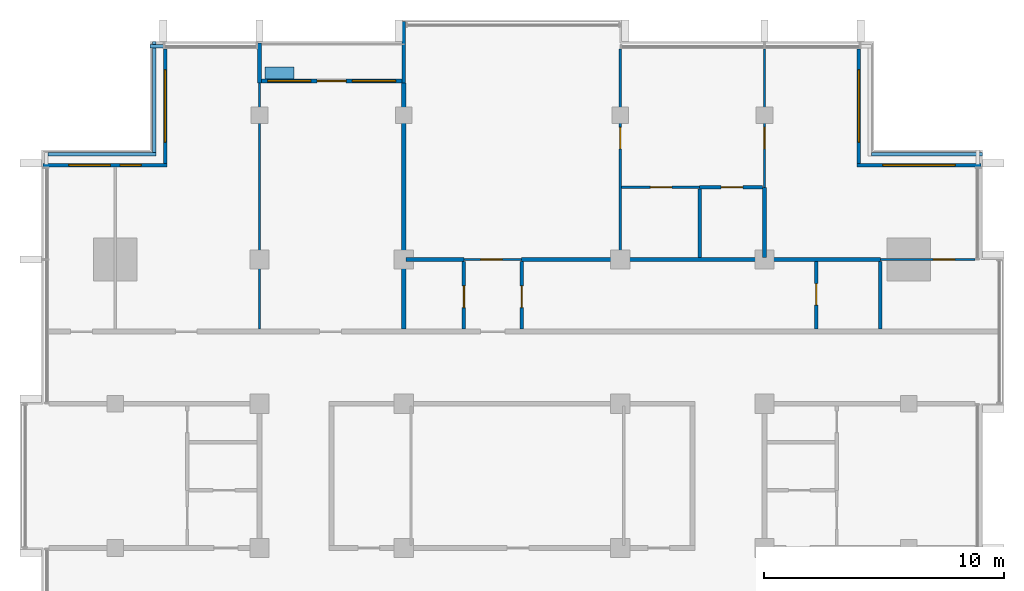
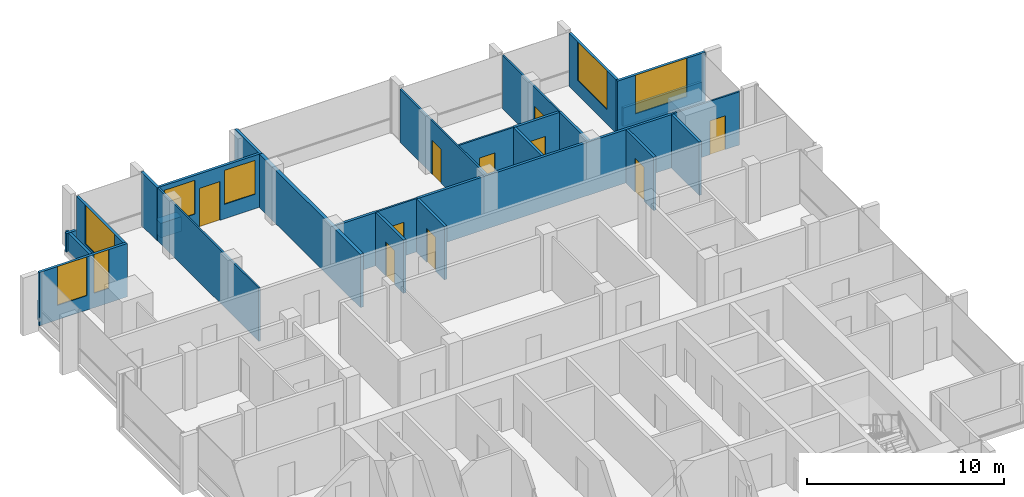
# One storey, part 10 of 16: 28 walls, 10 doors, 7 windows, 17 openings.
"""IFC4 building model written with IfcOpenShell, lengths in metres."""

from ifc_helpers import new_model, si_unit, direction, frame, frame_2d, origin, place, context, subcontext, project, spatial, rectangle, extrude, material, layer, layer_set, type_object, element, fill, save


model = new_model("IFC4")

# Units and contexts
model_context = context("Model", 3, precision=1e-05, world=origin(), true_north=direction((0.0, 1.0)))
body_context = subcontext(model_context, "Body", "Model", "MODEL_VIEW")
ifc_project = project(units=[si_unit("LENGTHUNIT", "METRE"), si_unit("AREAUNIT", "SQUARE_METRE"), si_unit("VOLUMEUNIT", "CUBIC_METRE"), si_unit("PLANEANGLEUNIT", "RADIAN"), si_unit("MASSUNIT", "GRAM", prefix="KILO")], contexts=[model_context])

# Site, building, storey
site_placement = place(None, origin())
site = spatial("IfcSite", under=ifc_project, at=site_placement, CompositionType="ELEMENT")
building_placement = place(site_placement, origin())
building = spatial("IfcBuilding", under=site, at=building_placement, Name="Finial Court Residences", CompositionType="ELEMENT")
storey_placement = place(building_placement, frame((0.0, 0.0, 255.5)))
storey = spatial("IfcBuildingStorey", under=building, at=storey_placement, Name="L64", CompositionType="ELEMENT", Elevation=255.5)

# Wall
ifc_material_1 = material(Name="Gypsum board")
ifc_layer_1 = layer(ifc_material_1, 0.02490234375)
ifc_material_2 = material(Name="Acoustic mineral wool in double frame")
ifc_layer_2 = layer(ifc_material_2, 0.14990234375)
ifc_layer_3 = layer(ifc_material_1, 0.02490234375)
ifc_layer_set_1 = layer_set([ifc_layer_1, ifc_layer_2, ifc_layer_3], Name="Corridor wall 200, 1 hour")
wall_type_1 = type_object("IfcWallType", Name="Corridor wall 200, 1 hour", PredefinedType="PARTITIONING", material=ifc_layer_set_1)
wall_1_placement = place(storey_placement, frame((-4.5, 4.60009765625, 0.0), z_axis=(0.0, 0.0, 1.0), x_axis=(0.0, 1.0, 0.0)))
element("IfcWall", 1, at=wall_1_placement, inside=storey, type_object=wall_type_1, Name="Partition L64-030", PredefinedType="PARTITIONING", context=body_context, shape_type="SweptSolid", body=[
    extrude(rectangle(XDim=10.25, YDim=0.199951171875, at=frame_2d((5.125, 0.0))), origin(), (0.0, 0.0, 1.0), 3.300048828125),
])

# Wall, opening, door
ifc_layer_4 = layer(ifc_material_1, 0.012451171875)
ifc_material_3 = material(Name="Mineral wool in light-gauge frame")
ifc_layer_5 = layer(ifc_material_3, 0.074951171875)
ifc_layer_6 = layer(ifc_material_1, 0.012451171875)
ifc_layer_set_2 = layer_set([ifc_layer_4, ifc_layer_5, ifc_layer_6], Name="Gypsum board partition 100")
wall_type_2 = type_object("IfcWallType", Name="Gypsum board partition 100", PredefinedType="PARTITIONING", material=ifc_layer_set_2)
wall_2_placement = place(storey_placement, frame((-2.0, 7.5, 0.0), z_axis=(0.0, 0.0, 1.0), x_axis=(1.0, 0.0, 0.0)))
wall_2 = element("IfcWall", 2, at=wall_2_placement, inside=storey, type_object=wall_type_2, Name="Partition L64-017", PredefinedType="PARTITIONING", context=body_context, shape_type="SweptSolid", body=[
    extrude(rectangle(XDim=2.39990234375, YDim=0.10009765625, at=frame_2d((1.199951171875, 0.0))), origin(), (0.0, 0.0, 1.0), 3.300048828125),
])
opening_1_placement = place(wall_2_placement, frame((0.699951171875, 0.0, 0.0)))
opening_1 = element("IfcOpeningElement", 3, at=opening_1_placement, cuts=wall_2, Name="Opening L64-D020", PredefinedType="OPENING", context=body_context, shape_type="SweptSolid", body=[
    extrude(rectangle(XDim=0.89990234375, YDim=2.10009765625, at=frame_2d((0.449951171875, 1.050048828125))), frame((0.0, 0.06005859375, 0.0), z_axis=(0.0, -1.0, 0.0), x_axis=(1.0, 0.0, 0.0)), (0.0, 0.0, 1.0), 0.1201171875),
])
ifc_material_4 = material(Name="Timber door leaf in timber frame", Category="wood")
door_type_1 = type_object("IfcDoorType", Name="Door set 900 x 2100", OperationType="SINGLE_SWING_LEFT", PredefinedType="DOOR", material=ifc_material_4)
door_1_placement = place(opening_1_placement, origin())
door_1 = element("IfcDoor", 4, at=door_1_placement, inside=storey, type_object=door_type_1, Name="Door L64-D020", OperationType="SINGLE_SWING_RIGHT", OverallHeight=2.10009765625, OverallWidth=0.89990234375, PredefinedType="DOOR", context=body_context, shape_type="SweptSolid", body=[
    extrude(rectangle(XDim=0.89990234375, YDim=2.10009765625, at=frame_2d((0.449951171875, 1.050048828125))), frame((0.0, 0.02490234375, 0.0), z_axis=(0.0, -1.0, 0.0), x_axis=(1.0, 0.0, 0.0)), (0.0, 0.0, 1.0), 0.050048828125),
])
fill(opening_1, door_1)

wall_3_placement = place(storey_placement, frame((15.31689453125, 7.5, 0.0), z_axis=(0.0, 0.0, 1.0), x_axis=(1.0, 0.0, 0.0)))
wall_3 = element("IfcWall", 5, at=wall_3_placement, inside=storey, type_object=wall_type_2, Name="Partition L64-018", PredefinedType="PARTITIONING", context=body_context, shape_type="SweptSolid", body=[
    extrude(rectangle(XDim=3.945556640625, YDim=0.10009765625, at=frame_2d((1.97265625, 0.0))), origin(), (0.0, 0.0, 1.0), 3.300048828125),
])
opening_2_placement = place(wall_3_placement, frame((2.199951171875, 0.0, 0.0)))
opening_2 = element("IfcOpeningElement", 6, at=opening_2_placement, cuts=wall_3, Name="Opening L64-D021", PredefinedType="OPENING", context=body_context, shape_type="SweptSolid", body=[
    extrude(rectangle(XDim=0.89990234375, YDim=2.10009765625, at=frame_2d((0.449951171875, 1.050048828125))), frame((0.0, 0.06005859375, 0.0), z_axis=(0.0, -1.0, 0.0), x_axis=(1.0, 0.0, 0.0)), (0.0, 0.0, 1.0), 0.1201171875),
])
door_2_placement = place(opening_2_placement, origin())
door_2 = element("IfcDoor", 7, at=door_2_placement, inside=storey, type_object=door_type_1, Name="Door L64-D021", OperationType="SINGLE_SWING_RIGHT", OverallHeight=2.10009765625, OverallWidth=0.89990234375, PredefinedType="DOOR", context=body_context, shape_type="SweptSolid", body=[
    extrude(rectangle(XDim=0.89990234375, YDim=2.10009765625, at=frame_2d((0.449951171875, 1.050048828125))), frame((0.0, 0.02490234375, 0.0), z_axis=(0.0, -1.0, 0.0), x_axis=(1.0, 0.0, 0.0)), (0.0, 0.0, 1.0), 0.050048828125),
])
fill(opening_2, door_2)

wall_4_placement = place(storey_placement, frame((4.550048828125, 10.5, 0.0), z_axis=(0.0, 0.0, 1.0), x_axis=(1.0, 0.0, 0.0)))
wall_4 = element("IfcWall", 8, at=wall_4_placement, inside=storey, type_object=wall_type_2, Name="Partition L64-021", PredefinedType="PARTITIONING", context=body_context, shape_type="SweptSolid", body=[
    extrude(rectangle(XDim=3.25, YDim=0.10009765625, at=frame_2d((1.625, 0.0))), origin(), (0.0, 0.0, 1.0), 3.300048828125),
])
opening_3_placement = place(wall_4_placement, frame((1.199951171875, 0.0, 0.0)))
opening_3 = element("IfcOpeningElement", 9, at=opening_3_placement, cuts=wall_4, Name="Opening L64-D022", PredefinedType="OPENING", context=body_context, shape_type="SweptSolid", body=[
    extrude(rectangle(XDim=0.89990234375, YDim=2.10009765625, at=frame_2d((0.449951171875, 1.050048828125))), frame((0.0, 0.06005859375, 0.0), z_axis=(0.0, -1.0, 0.0), x_axis=(1.0, 0.0, 0.0)), (0.0, 0.0, 1.0), 0.1201171875),
])
door_3_placement = place(opening_3_placement, origin())
door_3 = element("IfcDoor", 10, at=door_3_placement, inside=storey, type_object=door_type_1, Name="Door L64-D022", OperationType="SINGLE_SWING_LEFT", OverallHeight=2.10009765625, OverallWidth=0.89990234375, PredefinedType="DOOR", context=body_context, shape_type="SweptSolid", body=[
    extrude(rectangle(XDim=0.89990234375, YDim=2.10009765625, at=frame_2d((0.449951171875, 1.050048828125))), frame((0.0, 0.02490234375, 0.0), z_axis=(0.0, -1.0, 0.0), x_axis=(1.0, 0.0, 0.0)), (0.0, 0.0, 1.0), 0.050048828125),
])
fill(opening_3, door_3)

# Wall
wall_5_placement = place(storey_placement, frame((-10.5, 4.60009765625, 0.0), z_axis=(0.0, 0.0, 1.0), x_axis=(0.0, 1.0, 0.0)))
element("IfcWall", 11, at=wall_5_placement, inside=storey, type_object=wall_type_2, Name="Partition L64-028", PredefinedType="PARTITIONING", context=body_context, shape_type="SweptSolid", body=[
    extrude(rectangle(XDim=10.25, YDim=0.10009765625, at=frame_2d((5.125, 0.0))), origin(), (0.0, 0.0, 1.0), 3.300048828125),
])

# Wall, opening, door
wall_6_placement = place(storey_placement, frame((4.5, 7.574951171875, 0.0), z_axis=(0.0, 0.0, 1.0), x_axis=(0.0, 1.0, 0.0)))
wall_6 = element("IfcWall", 12, at=wall_6_placement, inside=storey, type_object=wall_type_2, Name="Partition L64-034", PredefinedType="PARTITIONING", context=body_context, shape_type="SweptSolid", body=[
    extrude(rectangle(XDim=8.6875, YDim=0.10009765625, at=frame_2d((4.34375, 0.0))), origin(), (0.0, 0.0, 1.0), 3.300048828125),
])
opening_4_placement = place(wall_6_placement, frame((4.52490234375, 0.0, 0.0)))
opening_4 = element("IfcOpeningElement", 13, at=opening_4_placement, cuts=wall_6, Name="Opening L64-D028", PredefinedType="OPENING", context=body_context, shape_type="SweptSolid", body=[
    extrude(rectangle(XDim=0.89990234375, YDim=2.10009765625, at=frame_2d((0.449951171875, 1.050048828125))), frame((0.0, 0.06005859375, 0.0), z_axis=(0.0, -1.0, 0.0), x_axis=(1.0, 0.0, 0.0)), (0.0, 0.0, 1.0), 0.1201171875),
])
door_4_placement = place(opening_4_placement, origin())
door_4 = element("IfcDoor", 14, at=door_4_placement, inside=storey, type_object=door_type_1, Name="Door L64-D028", OperationType="SINGLE_SWING_RIGHT", OverallHeight=2.10009765625, OverallWidth=0.89990234375, PredefinedType="DOOR", context=body_context, shape_type="SweptSolid", body=[
    extrude(rectangle(XDim=0.89990234375, YDim=2.10009765625, at=frame_2d((0.449951171875, 1.050048828125))), frame((0.0, 0.02490234375, 0.0), z_axis=(0.0, -1.0, 0.0), x_axis=(1.0, 0.0, 0.0)), (0.0, 0.0, 1.0), 0.050048828125),
])
fill(opening_4, door_4)

wall_7_placement = place(storey_placement, frame((10.5, 10.5, 0.0), z_axis=(0.0, 0.0, 1.0), x_axis=(0.0, 1.0, 0.0)))
wall_7 = element("IfcWall", 15, at=wall_7_placement, inside=storey, type_object=wall_type_2, Name="Partition L64-039", PredefinedType="PARTITIONING", context=body_context, shape_type="SweptSolid", body=[
    extrude(rectangle(XDim=5.762451171875, YDim=0.10009765625, at=frame_2d((2.88134765625, 0.0))), origin(), (0.0, 0.0, 1.0), 3.300048828125),
])
opening_5_placement = place(wall_7_placement, frame((1.60009765625, 0.0, 0.0)))
opening_5 = element("IfcOpeningElement", 16, at=opening_5_placement, cuts=wall_7, Name="Opening L64-D029", PredefinedType="OPENING", context=body_context, shape_type="SweptSolid", body=[
    extrude(rectangle(XDim=0.89990234375, YDim=2.10009765625, at=frame_2d((0.449951171875, 1.050048828125))), frame((0.0, 0.06005859375, 0.0), z_axis=(0.0, -1.0, 0.0), x_axis=(1.0, 0.0, 0.0)), (0.0, 0.0, 1.0), 0.1201171875),
])
door_5_placement = place(opening_5_placement, origin())
door_5 = element("IfcDoor", 17, at=door_5_placement, inside=storey, type_object=door_type_1, Name="Door L64-D029", OperationType="SINGLE_SWING_LEFT", OverallHeight=2.10009765625, OverallWidth=0.89990234375, PredefinedType="DOOR", context=body_context, shape_type="SweptSolid", body=[
    extrude(rectangle(XDim=0.89990234375, YDim=2.10009765625, at=frame_2d((0.449951171875, 1.050048828125))), frame((0.0, 0.02490234375, 0.0), z_axis=(0.0, -1.0, 0.0), x_axis=(1.0, 0.0, 0.0)), (0.0, 0.0, 1.0), 0.050048828125),
])
fill(opening_5, door_5)

# Walls
ifc_material_5 = material(Name="Moisture-resistant gypsum board")
ifc_layer_7 = layer(ifc_material_5, 0.012451171875)
ifc_layer_8 = layer(ifc_material_3, 0.125)
ifc_layer_9 = layer(ifc_material_5, 0.012451171875)
ifc_layer_set_3 = layer_set([ifc_layer_7, ifc_layer_8, ifc_layer_9], Name="Gypsum board wet-area partition 150")
wall_type_3 = type_object("IfcWallType", Name="Gypsum board wet-area partition 150", PredefinedType="PARTITIONING", material=ifc_layer_set_3)
wall_8_placement = place(storey_placement, frame((-4.39990234375, 7.5, 0.0), z_axis=(0.0, 0.0, 1.0), x_axis=(1.0, 0.0, 0.0)))
element("IfcWall", 18, at=wall_8_placement, inside=storey, type_object=wall_type_3, Name="Partition L64-019", PredefinedType="PARTITIONING", context=body_context, shape_type="SweptSolid", body=[
    extrude(rectangle(XDim=2.39990234375, YDim=0.14990234375, at=frame_2d((1.199951171875, 0.0))), origin(), (0.0, 0.0, 1.0), 3.300048828125),
])
wall_9_placement = place(storey_placement, frame((0.39990234375, 7.5, 0.0), z_axis=(0.0, 0.0, 1.0), x_axis=(1.0, 0.0, 0.0)))
element("IfcWall", 19, at=wall_9_placement, inside=storey, type_object=wall_type_3, Name="Partition L64-020", PredefinedType="PARTITIONING", context=body_context, shape_type="SweptSolid", body=[
    extrude(rectangle(XDim=14.9169921875, YDim=0.14990234375, at=frame_2d((7.45849609375, 0.0))), origin(), (0.0, 0.0, 1.0), 3.300048828125),
])

# Wall, opening, door
wall_10_placement = place(storey_placement, frame((7.800048828125, 10.5, 0.0), z_axis=(0.0, 0.0, 1.0), x_axis=(1.0, 0.0, 0.0)))
wall_10 = element("IfcWall", 20, at=wall_10_placement, inside=storey, type_object=wall_type_3, Name="Partition L64-022", PredefinedType="PARTITIONING", context=body_context, shape_type="SweptSolid", body=[
    extrude(rectangle(XDim=2.625, YDim=0.14990234375, at=frame_2d((1.3125, 0.0))), origin(), (0.0, 0.0, 1.0), 3.300048828125),
])
opening_6_placement = place(wall_10_placement, frame((0.89990234375, 0.0, 0.0)))
opening_6 = element("IfcOpeningElement", 21, at=opening_6_placement, cuts=wall_10, Name="Opening L64-D023", PredefinedType="OPENING", context=body_context, shape_type="SweptSolid", body=[
    extrude(rectangle(XDim=0.89990234375, YDim=2.10009765625, at=frame_2d((0.449951171875, 1.050048828125))), frame((0.0, 0.0849609375, 0.0), z_axis=(0.0, -1.0, 0.0), x_axis=(1.0, 0.0, 0.0)), (0.0, 0.0, 1.0), 0.169921875),
])
door_6_placement = place(opening_6_placement, origin())
door_6 = element("IfcDoor", 22, at=door_6_placement, inside=storey, type_object=door_type_1, Name="Door L64-D023", OperationType="SINGLE_SWING_LEFT", OverallHeight=2.10009765625, OverallWidth=0.89990234375, PredefinedType="DOOR", context=body_context, shape_type="SweptSolid", body=[
    extrude(rectangle(XDim=0.89990234375, YDim=2.10009765625, at=frame_2d((0.449951171875, 1.050048828125))), frame((0.0, 0.02490234375, 0.0), z_axis=(0.0, -1.0, 0.0), x_axis=(1.0, 0.0, 0.0)), (0.0, 0.0, 1.0), 0.050048828125),
])
fill(opening_6, door_6)

wall_11_placement = place(storey_placement, frame((-2.0, 4.60009765625, 0.0), z_axis=(0.0, 0.0, 1.0), x_axis=(0.0, 1.0, 0.0)))
wall_11 = element("IfcWall", 23, at=wall_11_placement, inside=storey, type_object=wall_type_3, Name="Partition L64-032", PredefinedType="PARTITIONING", context=body_context, shape_type="SweptSolid", body=[
    extrude(rectangle(XDim=2.824951171875, YDim=0.14990234375, at=frame_2d((1.41259765625, 0.0))), origin(), (0.0, 0.0, 1.0), 3.300048828125),
])
opening_7_placement = place(wall_11_placement, frame((0.89990234375, 0.0, 0.0)))
opening_7 = element("IfcOpeningElement", 24, at=opening_7_placement, cuts=wall_11, Name="Opening L64-D026", PredefinedType="OPENING", context=body_context, shape_type="SweptSolid", body=[
    extrude(rectangle(XDim=0.89990234375, YDim=2.10009765625, at=frame_2d((0.449951171875, 1.050048828125))), frame((0.0, 0.0849609375, 0.0), z_axis=(0.0, -1.0, 0.0), x_axis=(1.0, 0.0, 0.0)), (0.0, 0.0, 1.0), 0.169921875),
])
door_7_placement = place(opening_7_placement, origin())
door_7 = element("IfcDoor", 25, at=door_7_placement, inside=storey, type_object=door_type_1, Name="Door L64-D026", OperationType="SINGLE_SWING_LEFT", OverallHeight=2.10009765625, OverallWidth=0.89990234375, PredefinedType="DOOR", context=body_context, shape_type="SweptSolid", body=[
    extrude(rectangle(XDim=0.89990234375, YDim=2.10009765625, at=frame_2d((0.449951171875, 1.050048828125))), frame((0.0, 0.02490234375, 0.0), z_axis=(0.0, -1.0, 0.0), x_axis=(1.0, 0.0, 0.0)), (0.0, 0.0, 1.0), 0.050048828125),
])
fill(opening_7, door_7)

wall_12_placement = place(storey_placement, frame((0.39990234375, 4.60009765625, 0.0), z_axis=(0.0, 0.0, 1.0), x_axis=(0.0, 1.0, 0.0)))
wall_12 = element("IfcWall", 26, at=wall_12_placement, inside=storey, type_object=wall_type_3, Name="Partition L64-033", PredefinedType="PARTITIONING", context=body_context, shape_type="SweptSolid", body=[
    extrude(rectangle(XDim=2.824951171875, YDim=0.14990234375, at=frame_2d((1.41259765625, 0.0))), origin(), (0.0, 0.0, 1.0), 3.300048828125),
])
opening_8_placement = place(wall_12_placement, frame((0.89990234375, 0.0, 0.0)))
opening_8 = element("IfcOpeningElement", 27, at=opening_8_placement, cuts=wall_12, Name="Opening L64-D027", PredefinedType="OPENING", context=body_context, shape_type="SweptSolid", body=[
    extrude(rectangle(XDim=0.89990234375, YDim=2.10009765625, at=frame_2d((0.449951171875, 1.050048828125))), frame((0.0, 0.0849609375, 0.0), z_axis=(0.0, -1.0, 0.0), x_axis=(1.0, 0.0, 0.0)), (0.0, 0.0, 1.0), 0.169921875),
])
door_8_placement = place(opening_8_placement, origin())
door_8 = element("IfcDoor", 28, at=door_8_placement, inside=storey, type_object=door_type_1, Name="Door L64-D027", OperationType="SINGLE_SWING_RIGHT", OverallHeight=2.10009765625, OverallWidth=0.89990234375, PredefinedType="DOOR", context=body_context, shape_type="SweptSolid", body=[
    extrude(rectangle(XDim=0.89990234375, YDim=2.10009765625, at=frame_2d((0.449951171875, 1.050048828125))), frame((0.0, 0.02490234375, 0.0), z_axis=(0.0, -1.0, 0.0), x_axis=(1.0, 0.0, 0.0)), (0.0, 0.0, 1.0), 0.050048828125),
])
fill(opening_8, door_8)

# Walls
wall_13_placement = place(storey_placement, frame((7.800048828125, 7.574951171875, 0.0), z_axis=(0.0, 0.0, 1.0), x_axis=(0.0, 1.0, 0.0)))
element("IfcWall", 29, at=wall_13_placement, inside=storey, type_object=wall_type_3, Name="Partition L64-037", PredefinedType="PARTITIONING", context=body_context, shape_type="SweptSolid", body=[
    extrude(rectangle(XDim=2.85009765625, YDim=0.14990234375, at=frame_2d((1.425048828125, 0.0))), origin(), (0.0, 0.0, 1.0), 3.300048828125),
])
wall_14_placement = place(storey_placement, frame((10.5, 7.574951171875, 0.0), z_axis=(0.0, 0.0, 1.0), x_axis=(0.0, 1.0, 0.0)))
element("IfcWall", 30, at=wall_14_placement, inside=storey, type_object=wall_type_3, Name="Partition L64-040", PredefinedType="PARTITIONING", context=body_context, shape_type="SweptSolid", body=[
    extrude(rectangle(XDim=2.925048828125, YDim=0.14990234375, at=frame_2d((1.46240234375, 0.0))), origin(), (0.0, 0.0, 1.0), 3.300048828125),
])

# Wall, opening, door
wall_15_placement = place(storey_placement, frame((12.64990234375, 4.60009765625, 0.0), z_axis=(0.0, 0.0, 1.0), x_axis=(0.0, 1.0, 0.0)))
wall_15 = element("IfcWall", 31, at=wall_15_placement, inside=storey, type_object=wall_type_3, Name="Partition L64-041", PredefinedType="PARTITIONING", context=body_context, shape_type="SweptSolid", body=[
    extrude(rectangle(XDim=2.824951171875, YDim=0.14990234375, at=frame_2d((1.41259765625, 0.0))), origin(), (0.0, 0.0, 1.0), 3.300048828125),
])
opening_9_placement = place(wall_15_placement, frame((1.0, 0.0, 0.0)))
opening_9 = element("IfcOpeningElement", 32, at=opening_9_placement, cuts=wall_15, Name="Opening L64-D030", PredefinedType="OPENING", context=body_context, shape_type="SweptSolid", body=[
    extrude(rectangle(XDim=0.89990234375, YDim=2.10009765625, at=frame_2d((0.449951171875, 1.050048828125))), frame((0.0, 0.0849609375, 0.0), z_axis=(0.0, -1.0, 0.0), x_axis=(1.0, 0.0, 0.0)), (0.0, 0.0, 1.0), 0.169921875),
])
door_9_placement = place(opening_9_placement, origin())
door_9 = element("IfcDoor", 33, at=door_9_placement, inside=storey, type_object=door_type_1, Name="Door L64-D030", OperationType="SINGLE_SWING_LEFT", OverallHeight=2.10009765625, OverallWidth=0.89990234375, PredefinedType="DOOR", context=body_context, shape_type="SweptSolid", body=[
    extrude(rectangle(XDim=0.89990234375, YDim=2.10009765625, at=frame_2d((0.449951171875, 1.050048828125))), frame((0.0, 0.02490234375, 0.0), z_axis=(0.0, -1.0, 0.0), x_axis=(1.0, 0.0, 0.0)), (0.0, 0.0, 1.0), 0.050048828125),
])
fill(opening_9, door_9)

# Walls
wall_16_placement = place(storey_placement, frame((15.31689453125, 4.60009765625, 0.0), z_axis=(0.0, 0.0, 1.0), x_axis=(0.0, 1.0, 0.0)))
element("IfcWall", 34, at=wall_16_placement, inside=storey, type_object=wall_type_3, Name="Partition L64-044", PredefinedType="PARTITIONING", context=body_context, shape_type="SweptSolid", body=[
    extrude(rectangle(XDim=2.824951171875, YDim=0.14990234375, at=frame_2d((1.41259765625, 0.0))), origin(), (0.0, 0.0, 1.0), 3.300048828125),
])
ifc_material_6 = material(Name="Concrete C35/45", Category="concrete")
ifc_layer_10 = layer(ifc_material_6, 0.14990234375)
ifc_layer_set_4 = layer_set([ifc_layer_10], Name="Ledge parapet, Concrete C35/45 150")
wall_type_4 = type_object("IfcWallType", Name="Ledge parapet, Concrete C35/45 150", PredefinedType="PARAPET", material=ifc_layer_set_4)
wall_17_placement = place(storey_placement, frame((-15.0625, 16.375, 0.0), z_axis=(0.0, 0.0, 1.0), x_axis=(1.0, 0.0, 0.0)))
element("IfcWall", 35, at=wall_17_placement, inside=storey, type_object=wall_type_4, Name="E-L64-LED3-P1", PredefinedType="PARAPET", context=body_context, shape_type="SweptSolid", body=[
    extrude(rectangle(XDim=0.614990234375, YDim=0.14990234375, at=frame_2d((0.3076171875, 0.0))), origin(), (0.0, 0.0, 1.0), 1.14990234375),
])
wall_18_placement = place(storey_placement, frame((-19.300048828125, 11.875, 0.0), z_axis=(0.0, 0.0, 1.0), x_axis=(1.0, 0.0, 0.0)))
element("IfcWall", 36, at=wall_18_placement, inside=storey, type_object=wall_type_4, Name="E-L64-LED3-P3", PredefinedType="PARAPET", context=body_context, shape_type="SweptSolid", body=[
    extrude(rectangle(XDim=4.5, YDim=0.14990234375, at=frame_2d((2.25, 0.0))), origin(), (0.0, 0.0, 1.0), 1.14990234375),
])
for number, where, z_axis, x_axis, name in (
    (37, (-14.875, 11.949951171875, 0.0), (0.0, 0.0, 1.0), (0.0, 1.0, 0.0), "E-L64-LED3-P4"),
    (38, (14.949951171875, 11.875, 0.0), (0.0, 0.0, 1.0), (1.0, 0.0, 0.0), "E-L64-LED4-P4"),
):
    element("IfcWall", number, at=place(storey_placement, frame(where, z_axis=z_axis, x_axis=x_axis)), inside=storey, type_object=wall_type_4, Name=name, PredefinedType="PARAPET", context=body_context, shape_type="SweptSolid", body=[
        extrude(rectangle(XDim=4.612548828125, YDim=0.14990234375, at=frame_2d((2.30615234375, 0.0))), origin(), (0.0, 0.0, 1.0), 1.14990234375),
    ])

# Wall, opening, window
ifc_material_7 = material(Name="Natural limestone", Category="masonry")
ifc_layer_11 = layer(ifc_material_7, 0.14990234375)
ifc_layer_set_5 = layer_set([ifc_layer_11], Name="Limestone clad wall 150")
wall_type_5 = type_object("IfcWallType", Name="Limestone clad wall 150", PredefinedType="SOLIDWALL", material=ifc_layer_set_5)
wall_19_placement = place(storey_placement, frame((-14.425048828125, 11.5, 0.0), z_axis=(0.0, 0.0, 1.0), x_axis=(0.0, 1.0, 0.0)))
wall_19 = element("IfcWall", 39, at=wall_19_placement, inside=storey, type_object=wall_type_5, Name="E-L64-NWW16", PredefinedType="SOLIDWALL", context=body_context, shape_type="SweptSolid", body=[
    extrude(rectangle(XDim=4.762451171875, YDim=0.14990234375, at=frame_2d((2.38134765625, 0.0))), origin(), (0.0, 0.0, 1.0), 3.300048828125),
])
opening_10_placement = place(wall_19_placement, frame((0.881103515625, 0.0, 0.89990234375)))
opening_10 = element("IfcOpeningElement", 40, at=opening_10_placement, cuts=wall_19, Name="Opening WE64-05", PredefinedType="OPENING", context=body_context, shape_type="SweptSolid", body=[
    extrude(rectangle(XDim=3.0, YDim=2.39990234375, at=frame_2d((1.5, 1.199951171875))), frame((0.0, 0.0849609375, 0.0), z_axis=(0.0, -1.0, 0.0), x_axis=(1.0, 0.0, 0.0)), (0.0, 0.0, 1.0), 0.169921875),
])
ifc_material_8 = material(Name="Clear low-e glass", Category="glass")
window_type_1 = type_object("IfcWindowType", Name="Corner window 3000 x 2400", PartitioningType="SINGLE_PANEL", PredefinedType="WINDOW", material=ifc_material_8)
window_1_placement = place(opening_10_placement, origin())
window_1 = element("IfcWindow", 41, at=window_1_placement, inside=storey, type_object=window_type_1, Name="E-L64-NWW16-W1", OverallHeight=2.39990234375, OverallWidth=3.0, PartitioningType="SINGLE_PANEL", PredefinedType="WINDOW", context=body_context, shape_type="SweptSolid", body=[
    extrude(rectangle(XDim=3.0, YDim=2.39990234375, at=frame_2d((1.5, 1.199951171875))), frame((0.0, 0.030029296875, 0.0), z_axis=(0.0, -1.0, 0.0), x_axis=(1.0, 0.0, 0.0)), (0.0, 0.0, 1.0), 0.06005859375),
])
fill(opening_10, window_1)

# Wall, openings, windows
wall_20_placement = place(storey_placement, frame((-19.5, 11.425048828125, 0.0), z_axis=(0.0, 0.0, 1.0), x_axis=(1.0, 0.0, 0.0)))
wall_20 = element("IfcWall", 42, at=wall_20_placement, inside=storey, type_object=wall_type_5, Name="E-L64-NWN17", PredefinedType="SOLIDWALL", context=body_context, shape_type="SweptSolid", body=[
    extrude(rectangle(XDim=5.14990234375, YDim=0.14990234375, at=frame_2d((2.574951171875, 0.0))), origin(), (0.0, 0.0, 1.0), 3.300048828125),
])
opening_11_placement = place(wall_20_placement, frame((1.074951171875, 0.0, 0.89990234375)))
opening_11 = element("IfcOpeningElement", 43, at=opening_11_placement, cuts=wall_20, Name="Opening WE64-06", PredefinedType="OPENING", context=body_context, shape_type="SweptSolid", body=[
    extrude(rectangle(XDim=1.72509765625, YDim=2.39990234375, at=frame_2d((0.862548828125, 1.199951171875))), frame((0.0, 0.0849609375, 0.0), z_axis=(0.0, -1.0, 0.0), x_axis=(1.0, 0.0, 0.0)), (0.0, 0.0, 1.0), 0.169921875),
])
opening_12_placement = place(wall_20_placement, frame((3.199951171875, 0.0, 0.89990234375)))
opening_12 = element("IfcOpeningElement", 44, at=opening_12_placement, cuts=wall_20, Name="Opening WE64-07", PredefinedType="OPENING", context=body_context, shape_type="SweptSolid", body=[
    extrude(rectangle(XDim=0.875, YDim=2.39990234375, at=frame_2d((0.4375, 1.199951171875))), frame((0.0, 0.0849609375, 0.0), z_axis=(0.0, -1.0, 0.0), x_axis=(1.0, 0.0, 0.0)), (0.0, 0.0, 1.0), 0.169921875),
])
window_type_2 = type_object("IfcWindowType", Name="Corner window 1725 x 2400", PartitioningType="SINGLE_PANEL", PredefinedType="WINDOW", material=ifc_material_8)
window_2_placement = place(opening_11_placement, origin())
window_2 = element("IfcWindow", 45, at=window_2_placement, inside=storey, type_object=window_type_2, Name="E-L64-NWN17-W1", OverallHeight=2.39990234375, OverallWidth=1.72509765625, PartitioningType="SINGLE_PANEL", PredefinedType="WINDOW", context=body_context, shape_type="SweptSolid", body=[
    extrude(rectangle(XDim=1.72509765625, YDim=2.39990234375, at=frame_2d((0.862548828125, 1.199951171875))), frame((0.0, 0.030029296875, 0.0), z_axis=(0.0, -1.0, 0.0), x_axis=(1.0, 0.0, 0.0)), (0.0, 0.0, 1.0), 0.06005859375),
])
fill(opening_11, window_2)
window_type_3 = type_object("IfcWindowType", Name="Corner window 875 x 2400", PartitioningType="SINGLE_PANEL", PredefinedType="WINDOW", material=ifc_material_8)
window_3_placement = place(opening_12_placement, origin())
window_3 = element("IfcWindow", 46, at=window_3_placement, inside=storey, type_object=window_type_3, Name="E-L64-NWN17-W2", OverallHeight=2.39990234375, OverallWidth=0.875, PartitioningType="SINGLE_PANEL", PredefinedType="WINDOW", context=body_context, shape_type="SweptSolid", body=[
    extrude(rectangle(XDim=0.875, YDim=2.39990234375, at=frame_2d((0.4375, 1.199951171875))), frame((0.0, 0.030029296875, 0.0), z_axis=(0.0, -1.0, 0.0), x_axis=(1.0, 0.0, 0.0)), (0.0, 0.0, 1.0), 0.06005859375),
])
fill(opening_12, window_3)

# Wall, opening, window
wall_21_placement = place(storey_placement, frame((14.425048828125, 16.262451171875, 0.0), z_axis=(0.0, 0.0, 1.0), x_axis=(0.0, -1.0, 0.0)))
wall_21 = element("IfcWall", 47, at=wall_21_placement, inside=storey, type_object=wall_type_5, Name="E-L64-NWE18", PredefinedType="SOLIDWALL", context=body_context, shape_type="SweptSolid", body=[
    extrude(rectangle(XDim=4.762451171875, YDim=0.14990234375, at=frame_2d((2.38134765625, 0.0))), origin(), (0.0, 0.0, 1.0), 3.300048828125),
])
opening_13_placement = place(wall_21_placement, frame((0.881103515625, 0.0, 0.89990234375)))
opening_13 = element("IfcOpeningElement", 48, at=opening_13_placement, cuts=wall_21, Name="Opening WE64-08", PredefinedType="OPENING", context=body_context, shape_type="SweptSolid", body=[
    extrude(rectangle(XDim=3.0, YDim=2.39990234375, at=frame_2d((1.5, 1.199951171875))), frame((0.0, 0.0849609375, 0.0), z_axis=(0.0, -1.0, 0.0), x_axis=(1.0, 0.0, 0.0)), (0.0, 0.0, 1.0), 0.169921875),
])
window_4_placement = place(opening_13_placement, origin())
window_4 = element("IfcWindow", 49, at=window_4_placement, inside=storey, type_object=window_type_1, Name="E-L64-NWE18-W1", OverallHeight=2.39990234375, OverallWidth=3.0, PartitioningType="SINGLE_PANEL", PredefinedType="WINDOW", context=body_context, shape_type="SweptSolid", body=[
    extrude(rectangle(XDim=3.0, YDim=2.39990234375, at=frame_2d((1.5, 1.199951171875))), frame((0.0, 0.030029296875, 0.0), z_axis=(0.0, -1.0, 0.0), x_axis=(1.0, 0.0, 0.0)), (0.0, 0.0, 1.0), 0.06005859375),
])
fill(opening_13, window_4)

wall_22_placement = place(storey_placement, frame((14.35009765625, 11.425048828125, 0.0), z_axis=(0.0, 0.0, 1.0), x_axis=(1.0, 0.0, 0.0)))
wall_22 = element("IfcWall", 50, at=wall_22_placement, inside=storey, type_object=wall_type_5, Name="E-L64-NWN19", PredefinedType="SOLIDWALL", context=body_context, shape_type="SweptSolid", body=[
    extrude(rectangle(XDim=5.14990234375, YDim=0.14990234375, at=frame_2d((2.574951171875, 0.0))), origin(), (0.0, 0.0, 1.0), 3.300048828125),
])
opening_14_placement = place(wall_22_placement, frame((1.074951171875, 0.0, 0.89990234375)))
opening_14 = element("IfcOpeningElement", 51, at=opening_14_placement, cuts=wall_22, Name="Opening WE64-09", PredefinedType="OPENING", context=body_context, shape_type="SweptSolid", body=[
    extrude(rectangle(XDim=3.0, YDim=2.39990234375, at=frame_2d((1.5, 1.199951171875))), frame((0.0, 0.0849609375, 0.0), z_axis=(0.0, -1.0, 0.0), x_axis=(1.0, 0.0, 0.0)), (0.0, 0.0, 1.0), 0.169921875),
])
window_5_placement = place(opening_14_placement, origin())
window_5 = element("IfcWindow", 52, at=window_5_placement, inside=storey, type_object=window_type_1, Name="E-L64-NWN19-W1", OverallHeight=2.39990234375, OverallWidth=3.0, PartitioningType="SINGLE_PANEL", PredefinedType="WINDOW", context=body_context, shape_type="SweptSolid", body=[
    extrude(rectangle(XDim=3.0, YDim=2.39990234375, at=frame_2d((1.5, 1.199951171875))), frame((0.0, 0.030029296875, 0.0), z_axis=(0.0, -1.0, 0.0), x_axis=(1.0, 0.0, 0.0)), (0.0, 0.0, 1.0), 0.06005859375),
])
fill(opening_14, window_5)

# Walls
wall_23_placement = place(storey_placement, frame((-10.5, 14.85009765625, 0.0), z_axis=(0.0, 0.0, 1.0), x_axis=(0.0, 1.0, 0.0)))
element("IfcWall", 53, at=wall_23_placement, inside=storey, type_object=wall_type_5, Name="E-L64-BALN2-P1", PredefinedType="SOLIDWALL", context=body_context, shape_type="SweptSolid", body=[
    extrude(rectangle(XDim=1.64990234375, YDim=0.14990234375, at=frame_2d((0.824951171875, 0.0))), origin(), (0.0, 0.0, 1.0), 3.300048828125),
])
wall_24_placement = place(storey_placement, frame((-4.5, 14.85009765625, 0.0), z_axis=(0.0, 0.0, 1.0), x_axis=(0.0, 1.0, 0.0)))
element("IfcWall", 54, at=wall_24_placement, inside=storey, type_object=wall_type_5, Name="E-L64-BALN2-P2", PredefinedType="SOLIDWALL", context=body_context, shape_type="SweptSolid", body=[
    extrude(rectangle(XDim=2.5498046875, YDim=0.14990234375, at=frame_2d((1.27490234375, 0.0))), origin(), (0.0, 0.0, 1.0), 3.300048828125),
])

# Wall, openings, door, windows
wall_25_placement = place(storey_placement, frame((-10.425048828125, 14.925048828125, 0.0), z_axis=(0.0, 0.0, 1.0), x_axis=(1.0, 0.0, 0.0)))
wall_25 = element("IfcWall", 55, at=wall_25_placement, inside=storey, type_object=wall_type_5, Name="E-L64-L64-BALN2-W", PredefinedType="SOLIDWALL", context=body_context, shape_type="SweptSolid", body=[
    extrude(rectangle(XDim=5.85009765625, YDim=0.14990234375, at=frame_2d((2.925048828125, 0.0))), origin(), (0.0, 0.0, 1.0), 3.300048828125),
])
opening_15_placement = place(wall_25_placement, frame((2.324951171875, 0.0, 0.0)))
opening_15 = element("IfcOpeningElement", 56, at=opening_15_placement, cuts=wall_25, Name="Opening DE64-01", PredefinedType="OPENING", context=body_context, shape_type="SweptSolid", body=[
    extrude(rectangle(XDim=1.199951171875, YDim=2.39990234375, at=frame_2d((0.60009765625, 1.199951171875))), frame((0.0, 0.0849609375, 0.0), z_axis=(0.0, -1.0, 0.0), x_axis=(1.0, 0.0, 0.0)), (0.0, 0.0, 1.0), 0.169921875),
])
opening_16_placement = place(wall_25_placement, frame((0.262451171875, 0.0, 0.89990234375)))
opening_16 = element("IfcOpeningElement", 57, at=opening_16_placement, cuts=wall_25, Name="Opening WE64-10", PredefinedType="OPENING", context=body_context, shape_type="SweptSolid", body=[
    extrude(rectangle(XDim=1.800048828125, YDim=2.10009765625, at=frame_2d((0.89990234375, 1.050048828125))), frame((0.0, 0.0849609375, 0.0), z_axis=(0.0, -1.0, 0.0), x_axis=(1.0, 0.0, 0.0)), (0.0, 0.0, 1.0), 0.169921875),
])
opening_17_placement = place(wall_25_placement, frame((3.78759765625, 0.0, 0.89990234375)))
opening_17 = element("IfcOpeningElement", 58, at=opening_17_placement, cuts=wall_25, Name="Opening WE64-11", PredefinedType="OPENING", context=body_context, shape_type="SweptSolid", body=[
    extrude(rectangle(XDim=1.800048828125, YDim=2.10009765625, at=frame_2d((0.89990234375, 1.050048828125))), frame((0.0, 0.0849609375, 0.0), z_axis=(0.0, -1.0, 0.0), x_axis=(1.0, 0.0, 0.0)), (0.0, 0.0, 1.0), 0.169921875),
])
ifc_material_9 = material(Name="Bronze anodised aluminium", Category="aluminium")
door_type_2 = type_object("IfcDoorType", Name="Balcony door 1200 x 2400", OperationType="SINGLE_SWING_LEFT", PredefinedType="DOOR", material=ifc_material_9)
door_10_placement = place(opening_15_placement, origin())
door_10 = element("IfcDoor", 59, at=door_10_placement, inside=storey, type_object=door_type_2, Name="E-L64-L64-BALN2-W-D", OperationType="SINGLE_SWING_LEFT", OverallHeight=2.39990234375, OverallWidth=1.199951171875, PredefinedType="DOOR", context=body_context, shape_type="SweptSolid", body=[
    extrude(rectangle(XDim=1.199951171875, YDim=2.39990234375, at=frame_2d((0.60009765625, 1.199951171875))), frame((0.0, 0.02490234375, 0.0), z_axis=(0.0, -1.0, 0.0), x_axis=(1.0, 0.0, 0.0)), (0.0, 0.0, 1.0), 0.050048828125),
])
fill(opening_15, door_10)
window_type_4 = type_object("IfcWindowType", Name="Balcony window 1800 x 2100", PartitioningType="SINGLE_PANEL", PredefinedType="WINDOW", material=ifc_material_8)
window_6_placement = place(opening_16_placement, origin())
window_6 = element("IfcWindow", 60, at=window_6_placement, inside=storey, type_object=window_type_4, Name="E-L64-L64-BALN2-W-W1", OverallHeight=2.10009765625, OverallWidth=1.800048828125, PartitioningType="SINGLE_PANEL", PredefinedType="WINDOW", context=body_context, shape_type="SweptSolid", body=[
    extrude(rectangle(XDim=1.800048828125, YDim=2.10009765625, at=frame_2d((0.89990234375, 1.050048828125))), frame((0.0, 0.030029296875, 0.0), z_axis=(0.0, -1.0, 0.0), x_axis=(1.0, 0.0, 0.0)), (0.0, 0.0, 1.0), 0.06005859375),
])
fill(opening_16, window_6)
window_7_placement = place(opening_17_placement, origin())
window_7 = element("IfcWindow", 61, at=window_7_placement, inside=storey, type_object=window_type_4, Name="E-L64-L64-BALN2-W-W2", OverallHeight=2.10009765625, OverallWidth=1.800048828125, PartitioningType="SINGLE_PANEL", PredefinedType="WINDOW", context=body_context, shape_type="SweptSolid", body=[
    extrude(rectangle(XDim=1.800048828125, YDim=2.10009765625, at=frame_2d((0.89990234375, 1.050048828125))), frame((0.0, 0.030029296875, 0.0), z_axis=(0.0, -1.0, 0.0), x_axis=(1.0, 0.0, 0.0)), (0.0, 0.0, 1.0), 0.06005859375),
])
fill(opening_17, window_7)

# Wall
ifc_material_10 = material(Name="Concrete C40/50", Category="concrete")
ifc_layer_12 = layer(ifc_material_10, 0.10009765625)
ifc_material_11 = material(Name="Planting soil", Category="soil")
ifc_layer_13 = layer(ifc_material_11, 0.300048828125)
ifc_layer_14 = layer(ifc_material_10, 0.10009765625)
ifc_layer_set_6 = layer_set([ifc_layer_12, ifc_layer_13, ifc_layer_14], Name="Planter wall, balcony")
wall_type_6 = type_object("IfcWallType", Name="Planter wall, balcony", PredefinedType="USERDEFINED", material=ifc_layer_set_6)
wall_26_placement = place(storey_placement, frame((-10.27490234375, 15.25, 0.0), z_axis=(0.0, 0.0, 1.0), x_axis=(1.0, 0.0, 0.0)))
element("IfcWall", 62, at=wall_26_placement, inside=storey, type_object=wall_type_6, Name="E-L64-BALN2-PL", ObjectType="PLANTER", PredefinedType="USERDEFINED", context=body_context, shape_type="SweptSolid", body=[
    extrude(rectangle(XDim=1.199951171875, YDim=0.5, at=frame_2d((0.60009765625, 0.0))), origin(), (0.0, 0.0, 1.0), 0.89990234375),
])

save(model, "model.ifc")
